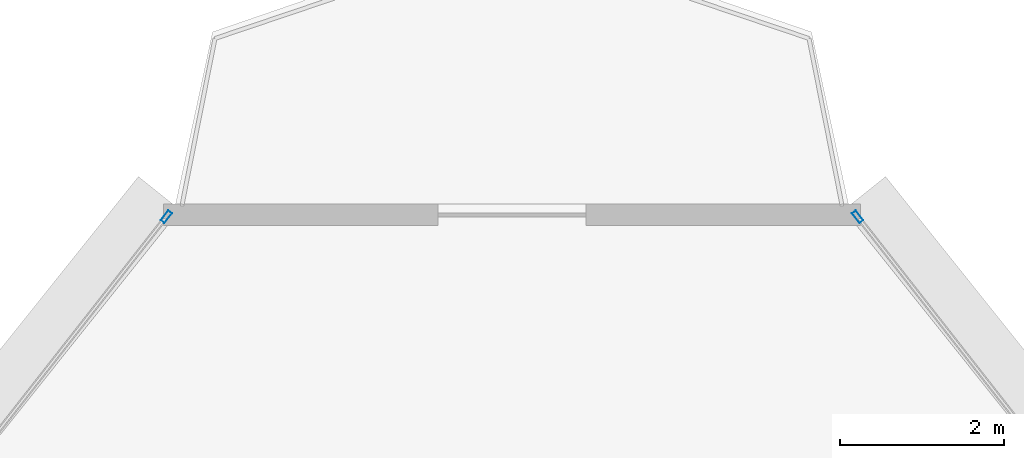
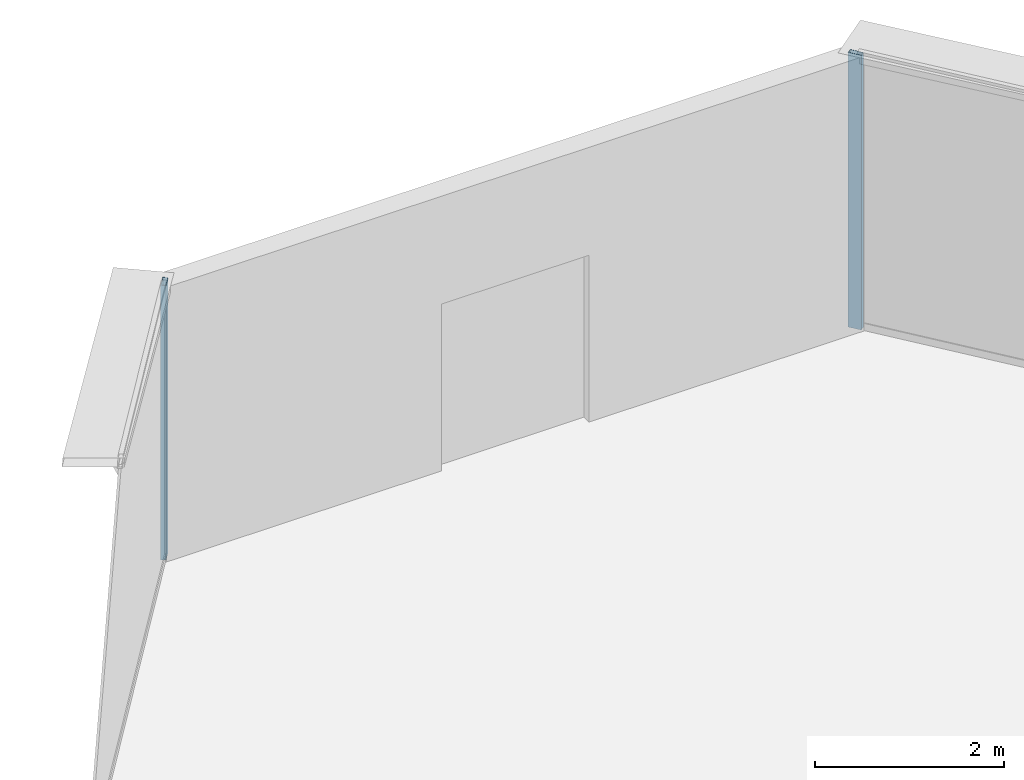
# One storey, part 27 of 37: 2 members, 2 elements without a shape of their own.
"""IFC4 building model written with IfcOpenShell, lengths in metres."""

from ifc_helpers import new_model, si_unit, direction, frame, origin, origin_2d, place, context, subcontext, project, spatial, hollow_rectangle, extrude, source, transform, mapped, material, layer, layer_set, material_profile, profile_set, type_object, element, aggregate, save


model = new_model("IFC4")

# Units and contexts
model_context = context("Model", 3, precision=1e-05, world=origin(), true_north=direction((0.0, 1.0)))
body_context = subcontext(model_context, "Body", "Model", "MODEL_VIEW")
ifc_project = project(units=[si_unit("LENGTHUNIT", "METRE"), si_unit("AREAUNIT", "SQUARE_METRE"), si_unit("VOLUMEUNIT", "CUBIC_METRE"), si_unit("PLANEANGLEUNIT", "RADIAN"), si_unit("MASSUNIT", "GRAM", prefix="KILO"), si_unit("THERMODYNAMICTEMPERATUREUNIT", "KELVIN"), si_unit("POWERUNIT", "WATT")], contexts=[model_context])

# Site, building, storey
site_placement = place(None, origin())
site = spatial("IfcSite", under=ifc_project, at=site_placement, CompositionType="ELEMENT")
building_placement = place(site_placement, origin())
building = spatial("IfcBuilding", under=site, at=building_placement, Name="Yunzhuo Pagoda Commons", CompositionType="ELEMENT")
storey_placement = place(building_placement, frame((0.0, 0.0, 192.360107421875)))
storey = spatial("IfcBuildingStorey", under=building, at=storey_placement, Name="L48", CompositionType="ELEMENT", Elevation=192.360107421875)

# Curtain wall, member
ifc_material = material(Name="Anodized aluminium 6063-T6", Category="aluminium")
ifc_layer = layer(ifc_material, 0.14990234375)
ifc_layer_set = layer_set([ifc_layer], Name="Anodized aluminium 6063-T6")
curtain_wall_type = type_object("IfcCurtainWallType", Name="CW-MID Mid-Zone Ribbon Curtain Wall", PredefinedType="NOTDEFINED", material=ifc_layer_set)
curtain_wall_1_placement = place(storey_placement, origin())
curtain_wall_1 = element("IfcCurtainWall", 1, at=curtain_wall_1_placement, inside=storey, type_object=curtain_wall_type, Name="L48 curtain wall CW-L48-F2B5", PredefinedType="NOTDEFINED")
ifc_material_profile = material_profile(ifc_material, hollow_rectangle(XDim=0.06005859375, YDim=0.14990234375, WallThickness=0.00390625, at=origin_2d()), Name="Anodized aluminium 6063-T6")
ifc_profile_set = profile_set([ifc_material_profile], Name="Anodized aluminium 6063-T6")
member_type = type_object("IfcMemberType", Name="CW-MID-M Mullion RHS 150x60x4", PredefinedType="MULLION", material=ifc_profile_set)
shared_shape = source(origin(), body_context, "Body", "SweptSolid", [
    extrude(hollow_rectangle(XDim=0.06005859375, YDim=0.14990234375, WallThickness=0.00390625, at=origin_2d()), origin(), (0.0, 0.0, 1.0), 3.539794921875),
])
member_1_placement = place(storey_placement, frame((52.213623046875, 83.143798828125, 0.0), z_axis=(0.0, 0.0, 1.0), x_axis=(-0.787049910454, -0.616889324316, 0.0)))
member_1 = element("IfcMember", 2, at=member_1_placement, type_object=member_type, Name="CW mullion 2", PredefinedType="MULLION", context=body_context, shape_type="MappedRepresentation", body=[
    mapped(shared_shape, transform((0.0, 0.0, 0.0), scale=1.0)),
])
aggregate(curtain_wall_1, [member_1])

curtain_wall_2_placement = place(storey_placement, origin())
curtain_wall_2 = element("IfcCurtainWall", 3, at=curtain_wall_2_placement, inside=storey, type_object=curtain_wall_type, Name="L48 curtain wall CW-L48-F3B1", PredefinedType="NOTDEFINED")
member_2_placement = place(storey_placement, frame((43.786376953125, 83.143798828125, 0.0), z_axis=(0.0, 0.0, 1.0), x_axis=(0.787049910454, -0.616889324316, 0.0)))
member_2 = element("IfcMember", 4, at=member_2_placement, type_object=member_type, Name="CW mullion 1", PredefinedType="MULLION", context=body_context, shape_type="MappedRepresentation", body=[
    mapped(shared_shape, transform((0.0, 0.0, 0.0), scale=1.0)),
])
aggregate(curtain_wall_2, [member_2])

save(model, "model.ifc")
